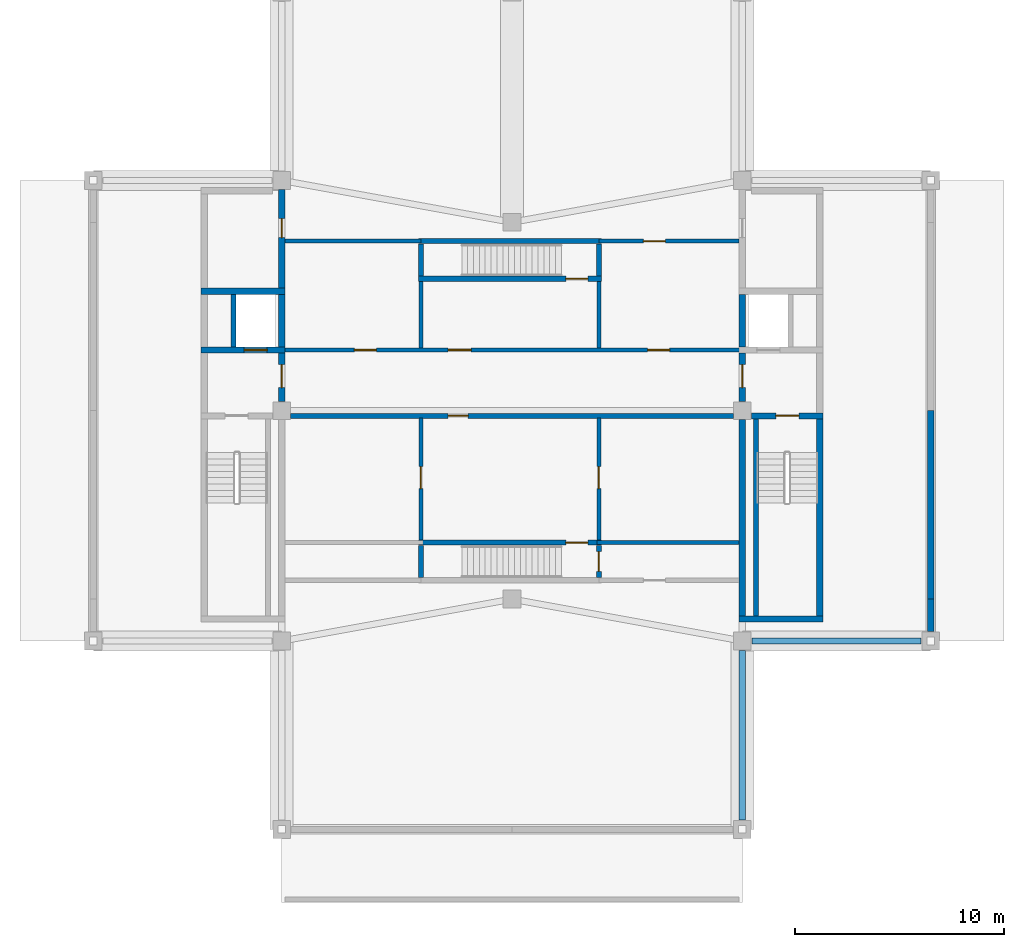
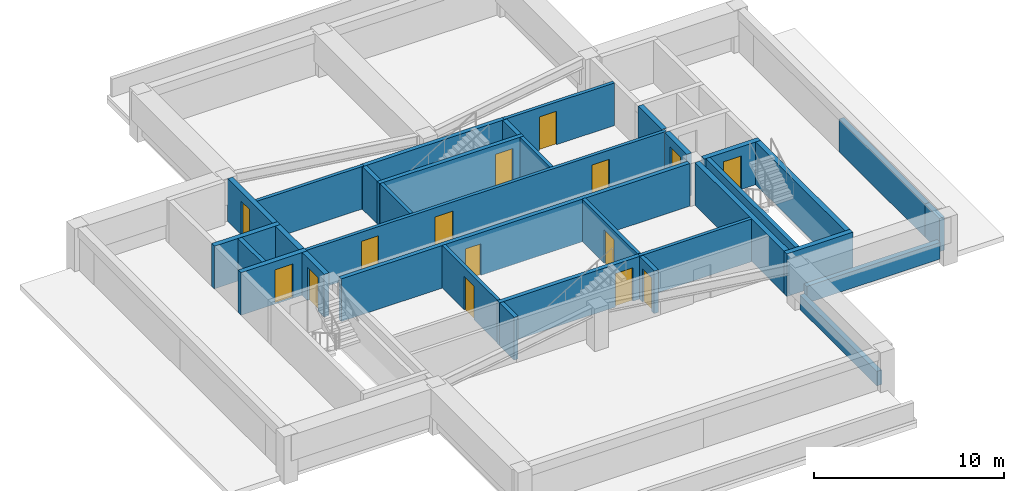
# One storey, part 2 of 4: 33 walls, 15 doors, 15 openings.
"""IFC4 building model written with IfcOpenShell, lengths in metres."""

from ifc_helpers import new_model, si_unit, direction, frame, frame_2d, origin, place, context, subcontext, project, spatial, rectangle, extrude, material, layer, layer_set, type_object, element, fill, save


model = new_model("IFC4")

# Units and contexts
model_context = context("Model", 3, precision=1e-05, world=origin(), true_north=direction((0.0, 1.0)))
body_context = subcontext(model_context, "Body", "Model", "MODEL_VIEW")
ifc_project = project(units=[si_unit("LENGTHUNIT", "METRE"), si_unit("AREAUNIT", "SQUARE_METRE"), si_unit("VOLUMEUNIT", "CUBIC_METRE"), si_unit("PLANEANGLEUNIT", "RADIAN"), si_unit("MASSUNIT", "GRAM", prefix="KILO")], contexts=[model_context])

# Site, building, storey
site_placement = place(None, origin())
site = spatial("IfcSite", under=ifc_project, at=site_placement, CompositionType="ELEMENT")
building_placement = place(site_placement, origin())
building = spatial("IfcBuilding", under=site, at=building_placement, Name="Zulmaris Gate Convention Tower", CompositionType="ELEMENT")
storey_placement = place(building_placement, frame((0.0, 0.0, 281.800048828125)))
storey = spatial("IfcBuildingStorey", under=building, at=storey_placement, Name="L75", CompositionType="ELEMENT", Elevation=281.800048828125)

# Wall, opening, door
ifc_material_1 = material(Name="Concrete C50/60", Category="concrete")
ifc_layer_1 = layer(ifc_material_1, 0.25, Name="Concrete C50/60")
ifc_layer_set_1 = layer_set([ifc_layer_1], Name="Concrete C50/60")
wall_type_1 = type_object("IfcWallType", Name="CORE-250", PredefinedType="SOLIDWALL", material=ifc_layer_set_1)
wall_1_placement = place(storey_placement, frame((-4.47509765625, -6.300048828125, 0.0), z_axis=(0.0, 0.0, 1.0), x_axis=(1.0, 0.0, 0.0)))
wall_1 = element("IfcWall", 1, at=wall_1_placement, inside=storey, type_object=wall_type_1, Name="WL-L75-004", PredefinedType="SOLIDWALL", context=body_context, shape_type="SweptSolid", body=[
    extrude(rectangle(XDim=8.75, YDim=0.25, at=frame_2d((4.375, 0.0))), origin(), (0.0, 0.0, 1.0), 2.73486328125),
])
opening_1_placement = place(wall_1_placement, frame((7.050048828125, 0.0, 0.0)))
opening_1 = element("IfcOpeningElement", 2, at=opening_1_placement, cuts=wall_1, Name="Opening D-09", PredefinedType="OPENING", context=body_context, shape_type="SweptSolid", body=[
    extrude(rectangle(XDim=1.050048828125, YDim=2.14990234375, at=frame_2d((0.52490234375, 1.074951171875))), frame((0.0, 0.135009765625, 0.0), z_axis=(0.0, -1.0, 0.0), x_axis=(1.0, 0.0, 0.0)), (0.0, 0.0, 1.0), 0.27001953125),
])
ifc_material_2 = material(Name="Fire-Rated Steel", Category="steel")
door_type_1 = type_object("IfcDoorType", Name="DR-1050-FD", OperationType="NOTDEFINED", PredefinedType="DOOR", material=ifc_material_2)
door_1_placement = place(opening_1_placement, origin())
door_1 = element("IfcDoor", 3, at=door_1_placement, inside=storey, type_object=door_type_1, Name="L75 Crown Stair ST-7 Door 09", OperationType="SINGLE_SWING_LEFT", OverallHeight=2.14990234375, OverallWidth=1.050048828125, PredefinedType="DOOR", context=body_context, shape_type="SweptSolid", body=[
    extrude(rectangle(XDim=1.050048828125, YDim=2.14990234375, at=frame_2d((0.52490234375, 1.074951171875))), frame((0.0, 0.02490234375, 0.0), z_axis=(0.0, -1.0, 0.0), x_axis=(1.0, 0.0, 0.0)), (0.0, 0.0, 1.0), 0.050048828125),
])
fill(opening_1, door_1)

wall_2_placement = place(storey_placement, frame((-4.47509765625, 6.300048828125, 0.0), z_axis=(0.0, 0.0, 1.0), x_axis=(1.0, 0.0, 0.0)))
wall_2 = element("IfcWall", 4, at=wall_2_placement, inside=storey, type_object=wall_type_1, Name="WL-L75-011", PredefinedType="SOLIDWALL", context=body_context, shape_type="SweptSolid", body=[
    extrude(rectangle(XDim=8.75, YDim=0.25, at=frame_2d((4.375, 0.0))), origin(), (0.0, 0.0, 1.0), 2.73486328125),
])
opening_2_placement = place(wall_2_placement, frame((7.050048828125, 0.0, 0.0)))
opening_2 = element("IfcOpeningElement", 5, at=opening_2_placement, cuts=wall_2, Name="Opening D-09", PredefinedType="OPENING", context=body_context, shape_type="SweptSolid", body=[
    extrude(rectangle(XDim=1.050048828125, YDim=2.14990234375, at=frame_2d((0.52490234375, 1.074951171875))), frame((0.0, 0.135009765625, 0.0), z_axis=(0.0, -1.0, 0.0), x_axis=(1.0, 0.0, 0.0)), (0.0, 0.0, 1.0), 0.27001953125),
])
door_2_placement = place(opening_2_placement, origin())
door_2 = element("IfcDoor", 6, at=door_2_placement, inside=storey, type_object=door_type_1, Name="L75 Crown Stair ST-8 Door 10", OperationType="SINGLE_SWING_RIGHT", OverallHeight=2.14990234375, OverallWidth=1.050048828125, PredefinedType="DOOR", context=body_context, shape_type="SweptSolid", body=[
    extrude(rectangle(XDim=1.050048828125, YDim=2.14990234375, at=frame_2d((0.52490234375, 1.074951171875))), frame((0.0, 0.02490234375, 0.0), z_axis=(0.0, -1.0, 0.0), x_axis=(1.0, 0.0, 0.0)), (0.0, 0.0, 1.0), 0.050048828125),
])
fill(opening_2, door_2)

# Wall
wall_3_placement = place(storey_placement, frame((-4.47509765625, 8.10009765625, 0.0), z_axis=(0.0, 0.0, 1.0), x_axis=(1.0, 0.0, 0.0)))
element("IfcWall", 7, at=wall_3_placement, inside=storey, type_object=wall_type_1, Name="WL-L75-012", PredefinedType="SOLIDWALL", context=body_context, shape_type="SweptSolid", body=[
    extrude(rectangle(XDim=8.75, YDim=0.25, at=frame_2d((4.375, 0.0))), origin(), (0.0, 0.0, 1.0), 2.73486328125),
])

# Wall, opening, door
wall_4_placement = place(storey_placement, frame((-10.569091796875, -0.25, 0.0), z_axis=(0.0, 0.0, 1.0), x_axis=(1.0, 0.0, 0.0)))
wall_4 = element("IfcWall", 8, at=wall_4_placement, inside=storey, type_object=wall_type_1, Name="WL-L75-019", PredefinedType="SOLIDWALL", context=body_context, shape_type="SweptSolid", body=[
    extrude(rectangle(XDim=21.13818359375, YDim=0.25, at=frame_2d((10.569091796875, 0.0))), origin(), (0.0, 0.0, 1.0), 2.73486328125),
])
opening_3_placement = place(wall_4_placement, frame((7.51904296875, 0.0, 0.0)))
opening_3 = element("IfcOpeningElement", 9, at=opening_3_placement, cuts=wall_4, Name="Opening D-25", PredefinedType="OPENING", context=body_context, shape_type="SweptSolid", body=[
    extrude(rectangle(XDim=0.949951171875, YDim=2.02001953125, at=frame_2d((0.47509765625, 1.010009765625))), frame((0.0, 0.135009765625, 0.0), z_axis=(0.0, -1.0, 0.0), x_axis=(1.0, 0.0, 0.0)), (0.0, 0.0, 1.0), 0.27001953125),
])
door_type_2 = type_object("IfcDoorType", Name="DR-950-LOW-FD", OperationType="NOTDEFINED", PredefinedType="DOOR", material=ifc_material_2)
door_3_placement = place(opening_3_placement, origin())
door_3 = element("IfcDoor", 10, at=door_3_placement, inside=storey, type_object=door_type_2, Name="L75 South Crown Passage Door 11", OperationType="SINGLE_SWING_LEFT", OverallHeight=2.02001953125, OverallWidth=0.949951171875, PredefinedType="DOOR", context=body_context, shape_type="SweptSolid", body=[
    extrude(rectangle(XDim=0.949951171875, YDim=2.02001953125, at=frame_2d((0.47509765625, 1.010009765625))), frame((0.0, 0.02490234375, 0.0), z_axis=(0.0, -1.0, 0.0), x_axis=(1.0, 0.0, 0.0)), (0.0, 0.0, 1.0), 0.050048828125),
])
fill(opening_3, door_3)

# Walls
wall_5_placement = place(storey_placement, frame((-13.300048828125, 3.052001953125, 0.0), z_axis=(0.0, 0.0, 1.0), x_axis=(0.0, 1.0, 0.0)))
element("IfcWall", 11, at=wall_5_placement, inside=storey, type_object=wall_type_1, Name="WL-L75-027", PredefinedType="SOLIDWALL", context=body_context, shape_type="SweptSolid", body=[
    extrude(rectangle(XDim=2.49609375, YDim=0.25, at=frame_2d((1.248046875, 0.0))), origin(), (0.0, 0.0, 1.0), 2.73486328125),
])
for number, where, z_axis, x_axis, name in (
    (12, (-4.35009765625, -7.972900390625, 0.0), (0.0, 0.0, 1.0), (0.0, 1.0, 0.0), "WL-L75-033"),
    (13, (-4.35009765625, 6.427001953125, 0.0), (0.0, 0.0, 1.0), (0.0, 1.0, 0.0), "WL-L75-034"),
):
    element("IfcWall", number, at=place(storey_placement, frame(where, z_axis=z_axis, x_axis=x_axis)), inside=storey, type_object=wall_type_1, Name=name, PredefinedType="SOLIDWALL", context=body_context, shape_type="SweptSolid", body=[
        extrude(rectangle(XDim=1.5458984375, YDim=0.25, at=frame_2d((0.77294921875, 0.0))), origin(), (0.0, 0.0, 1.0), 2.73486328125),
    ])

# Wall, opening, door
wall_6_placement = place(storey_placement, frame((4.14990234375, -7.972900390625, 0.0), z_axis=(0.0, 0.0, 1.0), x_axis=(0.0, 1.0, 0.0)))
wall_6 = element("IfcWall", 14, at=wall_6_placement, inside=storey, type_object=wall_type_1, Name="WL-L75-035", PredefinedType="SOLIDWALL", context=body_context, shape_type="SweptSolid", body=[
    extrude(rectangle(XDim=1.5458984375, YDim=0.25, at=frame_2d((0.77294921875, 0.0))), origin(), (0.0, 0.0, 1.0), 2.73486328125),
])
opening_4_placement = place(wall_6_placement, frame((0.298095703125, 0.0, 0.0)))
opening_4 = element("IfcOpeningElement", 15, at=opening_4_placement, cuts=wall_6, Name="Opening D-11", PredefinedType="OPENING", context=body_context, shape_type="SweptSolid", body=[
    extrude(rectangle(XDim=0.949951171875, YDim=2.14990234375, at=frame_2d((0.47509765625, 1.074951171875))), frame((0.0, 0.135009765625, 0.0), z_axis=(0.0, -1.0, 0.0), x_axis=(1.0, 0.0, 0.0)), (0.0, 0.0, 1.0), 0.27001953125),
])
ifc_material_3 = material(Name="Fire-Rated Timber", Category="wood")
door_type_3 = type_object("IfcDoorType", Name="DR-950-FD", OperationType="NOTDEFINED", PredefinedType="DOOR", material=ifc_material_3)
door_4_placement = place(opening_4_placement, origin())
door_4 = element("IfcDoor", 16, at=door_4_placement, inside=storey, type_object=door_type_3, Name="L75 South Vestibule Door 18", OperationType="SINGLE_SWING_RIGHT", OverallHeight=2.14990234375, OverallWidth=0.949951171875, PredefinedType="DOOR", context=body_context, shape_type="SweptSolid", body=[
    extrude(rectangle(XDim=0.949951171875, YDim=2.14990234375, at=frame_2d((0.47509765625, 1.074951171875))), frame((0.0, 0.02490234375, 0.0), z_axis=(0.0, -1.0, 0.0), x_axis=(1.0, 0.0, 0.0)), (0.0, 0.0, 1.0), 0.050048828125),
])
fill(opening_4, door_4)

# Walls
wall_7_placement = place(storey_placement, frame((4.14990234375, 6.427001953125, 0.0), z_axis=(0.0, 0.0, 1.0), x_axis=(0.0, 1.0, 0.0)))
element("IfcWall", 17, at=wall_7_placement, inside=storey, type_object=wall_type_1, Name="WL-L75-036", PredefinedType="SOLIDWALL", context=body_context, shape_type="SweptSolid", body=[
    extrude(rectangle(XDim=1.5458984375, YDim=0.25, at=frame_2d((0.77294921875, 0.0))), origin(), (0.0, 0.0, 1.0), 2.73486328125),
])
wall_8_placement = place(storey_placement, frame((11.64990234375, -9.798095703125, 0.0), z_axis=(0.0, 0.0, 1.0), x_axis=(0.0, 1.0, 0.0)))
element("IfcWall", 18, at=wall_8_placement, inside=storey, type_object=wall_type_1, Name="WL-L75-041", PredefinedType="SOLIDWALL", context=body_context, shape_type="SweptSolid", body=[
    extrude(rectangle(XDim=9.39599609375, YDim=0.25, at=frame_2d((4.697998046875, 0.0))), origin(), (0.0, 0.0, 1.0), 2.73486328125),
])
ifc_layer_2 = layer(ifc_material_1, 0.300048828125, Name="Concrete C50/60")
ifc_layer_set_2 = layer_set([ifc_layer_2], Name="Concrete C50/60")
wall_type_2 = type_object("IfcWallType", Name="CORE-300", PredefinedType="SHEAR", material=ifc_layer_set_2)
wall_9_placement = place(storey_placement, frame((10.85009765625, -9.949951171875, 0.0), z_axis=(0.0, 0.0, 1.0), x_axis=(1.0, 0.0, 0.0)))
element("IfcWall", 19, at=wall_9_placement, inside=storey, type_object=wall_type_2, Name="WL-L75-002", PredefinedType="SHEAR", context=body_context, shape_type="SweptSolid", body=[
    extrude(rectangle(XDim=4.0, YDim=0.300048828125, at=frame_2d((2.0, 0.0))), origin(), (0.0, 0.0, 1.0), 2.73486328125),
])

# Wall, opening, door
wall_10_placement = place(storey_placement, frame((11.428955078125, -0.25, 0.0), z_axis=(0.0, 0.0, 1.0), x_axis=(1.0, 0.0, 0.0)))
wall_10 = element("IfcWall", 20, at=wall_10_placement, inside=storey, type_object=wall_type_2, Name="WL-L75-006", PredefinedType="SHEAR", context=body_context, shape_type="SweptSolid", body=[
    extrude(rectangle(XDim=3.421142578125, YDim=0.300048828125, at=frame_2d((1.71044921875, 0.0))), origin(), (0.0, 0.0, 1.0), 2.73486328125),
])
opening_5_placement = place(wall_10_placement, frame((1.1708984375, 0.0, 0.0)))
opening_5 = element("IfcOpeningElement", 21, at=opening_5_placement, cuts=wall_10, Name="Opening D-08", PredefinedType="OPENING", context=body_context, shape_type="SweptSolid", body=[
    extrude(rectangle(XDim=1.10009765625, YDim=2.14990234375, at=frame_2d((0.550048828125, 1.074951171875))), frame((0.0, 0.16015625, 0.0), z_axis=(0.0, -1.0, 0.0), x_axis=(1.0, 0.0, 0.0)), (0.0, 0.0, 1.0), 0.320068359375),
])
door_type_4 = type_object("IfcDoorType", Name="DR-1100-FD", OperationType="NOTDEFINED", PredefinedType="DOOR", material=ifc_material_2)
door_5_placement = place(opening_5_placement, origin())
door_5 = element("IfcDoor", 22, at=door_5_placement, inside=storey, type_object=door_type_4, Name="L75 Exit Stair ST-2 Door 04", OperationType="SINGLE_SWING_LEFT", OverallHeight=2.14990234375, OverallWidth=1.10009765625, PredefinedType="DOOR", context=body_context, shape_type="SweptSolid", body=[
    extrude(rectangle(XDim=1.10009765625, YDim=2.14990234375, at=frame_2d((0.550048828125, 1.074951171875))), frame((0.0, 0.02490234375, 0.0), z_axis=(0.0, -1.0, 0.0), x_axis=(1.0, 0.0, 0.0)), (0.0, 0.0, 1.0), 0.050048828125),
])
fill(opening_5, door_5)

wall_11_placement = place(storey_placement, frame((-14.85009765625, 2.89990234375, 0.0), z_axis=(0.0, 0.0, 1.0), x_axis=(1.0, 0.0, 0.0)))
wall_11 = element("IfcWall", 23, at=wall_11_placement, inside=storey, type_object=wall_type_2, Name="WL-L75-007", PredefinedType="SHEAR", context=body_context, shape_type="SweptSolid", body=[
    extrude(rectangle(XDim=4.0, YDim=0.300048828125, at=frame_2d((2.0, 0.0))), origin(), (0.0, 0.0, 1.0), 2.73486328125),
])
opening_6_placement = place(wall_11_placement, frame((2.050048828125, 0.0, 0.0)))
opening_6 = element("IfcOpeningElement", 24, at=opening_6_placement, cuts=wall_11, Name="Opening D-06", PredefinedType="OPENING", context=body_context, shape_type="SweptSolid", body=[
    extrude(rectangle(XDim=1.10009765625, YDim=2.199951171875, at=frame_2d((0.550048828125, 1.10009765625))), frame((0.0, 0.16015625, 0.0), z_axis=(0.0, -1.0, 0.0), x_axis=(1.0, 0.0, 0.0)), (0.0, 0.0, 1.0), 0.320068359375),
])
ifc_material_4 = material(Name="Brushed Stainless Steel", Category="steel")
door_type_5 = type_object("IfcDoorType", Name="LD-1100", OperationType="NOTDEFINED", PredefinedType="DOOR", material=ifc_material_4)
door_6_placement = place(opening_6_placement, origin())
door_6 = element("IfcDoor", 25, at=door_6_placement, inside=storey, type_object=door_type_5, Name="L75 Lift Landing Door LF-01 03", OperationType="SLIDING_TO_LEFT", OverallHeight=2.199951171875, OverallWidth=1.10009765625, PredefinedType="DOOR", context=body_context, shape_type="SweptSolid", body=[
    extrude(rectangle(XDim=1.10009765625, YDim=2.199951171875, at=frame_2d((0.550048828125, 1.10009765625))), frame((0.0, 0.02490234375, 0.0), z_axis=(0.0, -1.0, 0.0), x_axis=(1.0, 0.0, 0.0)), (0.0, 0.0, 1.0), 0.050048828125),
])
fill(opening_6, door_6)

# Wall
wall_12_placement = place(storey_placement, frame((-14.85009765625, 5.699951171875, 0.0), z_axis=(0.0, 0.0, 1.0), x_axis=(1.0, 0.0, 0.0)))
element("IfcWall", 26, at=wall_12_placement, inside=storey, type_object=wall_type_2, Name="WL-L75-009", PredefinedType="SHEAR", context=body_context, shape_type="SweptSolid", body=[
    extrude(rectangle(XDim=4.0, YDim=0.300048828125, at=frame_2d((2.0, 0.0))), origin(), (0.0, 0.0, 1.0), 2.73486328125),
])

# Wall, opening, door
wall_13_placement = place(storey_placement, frame((-11.0, 0.428955078125, 0.0), z_axis=(0.0, 0.0, 1.0), x_axis=(0.0, 1.0, 0.0)))
wall_13 = element("IfcWall", 27, at=wall_13_placement, inside=storey, type_object=wall_type_2, Name="WL-L75-030", PredefinedType="SHEAR", context=body_context, shape_type="SweptSolid", body=[
    extrude(rectangle(XDim=2.319091796875, YDim=0.300048828125, at=frame_2d((1.15966796875, 0.0))), origin(), (0.0, 0.0, 1.0), 2.73486328125),
])
opening_7_placement = place(wall_13_placement, frame((0.6708984375, 0.0, 0.0)))
opening_7 = element("IfcOpeningElement", 28, at=opening_7_placement, cuts=wall_13, Name="Opening D-08", PredefinedType="OPENING", context=body_context, shape_type="SweptSolid", body=[
    extrude(rectangle(XDim=1.10009765625, YDim=2.14990234375, at=frame_2d((0.550048828125, 1.074951171875))), frame((0.0, 0.16015625, 0.0), z_axis=(0.0, -1.0, 0.0), x_axis=(1.0, 0.0, 0.0)), (0.0, 0.0, 1.0), 0.320068359375),
])
door_7_placement = place(opening_7_placement, origin())
door_7 = element("IfcDoor", 29, at=door_7_placement, inside=storey, type_object=door_type_4, Name="L75 West Firefighting Lobby Door 02", OperationType="SINGLE_SWING_RIGHT", OverallHeight=2.14990234375, OverallWidth=1.10009765625, PredefinedType="DOOR", context=body_context, shape_type="SweptSolid", body=[
    extrude(rectangle(XDim=1.10009765625, YDim=2.14990234375, at=frame_2d((0.550048828125, 1.074951171875))), frame((0.0, 0.02490234375, 0.0), z_axis=(0.0, -1.0, 0.0), x_axis=(1.0, 0.0, 0.0)), (0.0, 0.0, 1.0), 0.050048828125),
])
fill(opening_7, door_7)

# Wall
wall_14_placement = place(storey_placement, frame((-11.0, 3.052001953125, 0.0), z_axis=(0.0, 0.0, 1.0), x_axis=(0.0, 1.0, 0.0)))
element("IfcWall", 30, at=wall_14_placement, inside=storey, type_object=wall_type_2, Name="WL-L75-031", PredefinedType="SHEAR", context=body_context, shape_type="SweptSolid", body=[
    extrude(rectangle(XDim=2.49609375, YDim=0.300048828125, at=frame_2d((1.248046875, 0.0))), origin(), (0.0, 0.0, 1.0), 2.73486328125),
])

# Wall, opening, door
wall_15_placement = place(storey_placement, frame((-11.0, 5.85205078125, 0.0), z_axis=(0.0, 0.0, 1.0), x_axis=(0.0, 1.0, 0.0)))
wall_15 = element("IfcWall", 31, at=wall_15_placement, inside=storey, type_object=wall_type_2, Name="WL-L75-032", PredefinedType="SHEAR", context=body_context, shape_type="SweptSolid", body=[
    extrude(rectangle(XDim=4.718994140625, YDim=0.300048828125, at=frame_2d((2.359375, 0.0))), origin(), (0.0, 0.0, 1.0), 2.73486328125),
])
opening_8_placement = place(wall_15_placement, frame((2.41796875, 0.0, 0.0)))
opening_8 = element("IfcOpeningElement", 32, at=opening_8_placement, cuts=wall_15, Name="Opening D-12", PredefinedType="OPENING", context=body_context, shape_type="SweptSolid", body=[
    extrude(rectangle(XDim=0.89990234375, YDim=2.14990234375, at=frame_2d((0.449951171875, 1.074951171875))), frame((0.0, 0.16015625, 0.0), z_axis=(0.0, -1.0, 0.0), x_axis=(1.0, 0.0, 0.0)), (0.0, 0.0, 1.0), 0.320068359375),
])
door_type_6 = type_object("IfcDoorType", Name="DR-900-FD", OperationType="NOTDEFINED", PredefinedType="DOOR", material=ifc_material_3)
door_8_placement = place(opening_8_placement, origin())
door_8 = element("IfcDoor", 33, at=door_8_placement, inside=storey, type_object=door_type_6, Name="L75 Crown Electrical Door 07", OperationType="SINGLE_SWING_LEFT", OverallHeight=2.14990234375, OverallWidth=0.89990234375, PredefinedType="DOOR", context=body_context, shape_type="SweptSolid", body=[
    extrude(rectangle(XDim=0.89990234375, YDim=2.14990234375, at=frame_2d((0.449951171875, 1.074951171875))), frame((0.0, 0.02490234375, 0.0), z_axis=(0.0, -1.0, 0.0), x_axis=(1.0, 0.0, 0.0)), (0.0, 0.0, 1.0), 0.050048828125),
])
fill(opening_8, door_8)

# Wall
wall_16_placement = place(storey_placement, frame((11.0, -9.798095703125, 0.0), z_axis=(0.0, 0.0, 1.0), x_axis=(0.0, 1.0, 0.0)))
element("IfcWall", 34, at=wall_16_placement, inside=storey, type_object=wall_type_2, Name="WL-L75-037", PredefinedType="SHEAR", context=body_context, shape_type="SweptSolid", body=[
    extrude(rectangle(XDim=9.369140625, YDim=0.300048828125, at=frame_2d((4.6845703125, 0.0))), origin(), (0.0, 0.0, 1.0), 2.73486328125),
])

# Wall, opening, door
wall_17_placement = place(storey_placement, frame((11.0, 0.428955078125, 0.0), z_axis=(0.0, 0.0, 1.0), x_axis=(0.0, 1.0, 0.0)))
wall_17 = element("IfcWall", 35, at=wall_17_placement, inside=storey, type_object=wall_type_2, Name="WL-L75-038", PredefinedType="SHEAR", context=body_context, shape_type="SweptSolid", body=[
    extrude(rectangle(XDim=2.319091796875, YDim=0.300048828125, at=frame_2d((1.15966796875, 0.0))), origin(), (0.0, 0.0, 1.0), 2.73486328125),
])
opening_9_placement = place(wall_17_placement, frame((0.6708984375, 0.0, 0.0)))
opening_9 = element("IfcOpeningElement", 36, at=opening_9_placement, cuts=wall_17, Name="Opening D-08", PredefinedType="OPENING", context=body_context, shape_type="SweptSolid", body=[
    extrude(rectangle(XDim=1.10009765625, YDim=2.14990234375, at=frame_2d((0.550048828125, 1.074951171875))), frame((0.0, 0.16015625, 0.0), z_axis=(0.0, -1.0, 0.0), x_axis=(1.0, 0.0, 0.0)), (0.0, 0.0, 1.0), 0.320068359375),
])
door_9_placement = place(opening_9_placement, origin())
door_9 = element("IfcDoor", 37, at=door_9_placement, inside=storey, type_object=door_type_4, Name="L75 East Firefighting Lobby Door 05", OperationType="SINGLE_SWING_RIGHT", OverallHeight=2.14990234375, OverallWidth=1.10009765625, PredefinedType="DOOR", context=body_context, shape_type="SweptSolid", body=[
    extrude(rectangle(XDim=1.10009765625, YDim=2.14990234375, at=frame_2d((0.550048828125, 1.074951171875))), frame((0.0, 0.02490234375, 0.0), z_axis=(0.0, -1.0, 0.0), x_axis=(1.0, 0.0, 0.0)), (0.0, 0.0, 1.0), 0.050048828125),
])
fill(opening_9, door_9)

# Walls
wall_18_placement = place(storey_placement, frame((11.0, 3.052001953125, 0.0), z_axis=(0.0, 0.0, 1.0), x_axis=(0.0, 1.0, 0.0)))
element("IfcWall", 38, at=wall_18_placement, inside=storey, type_object=wall_type_2, Name="WL-L75-039", PredefinedType="SHEAR", context=body_context, shape_type="SweptSolid", body=[
    extrude(rectangle(XDim=2.49609375, YDim=0.300048828125, at=frame_2d((1.248046875, 0.0))), origin(), (0.0, 0.0, 1.0), 2.73486328125),
])
wall_19_placement = place(storey_placement, frame((14.699951171875, -9.798095703125, 0.0), z_axis=(0.0, 0.0, 1.0), x_axis=(0.0, 1.0, 0.0)))
element("IfcWall", 39, at=wall_19_placement, inside=storey, type_object=wall_type_2, Name="WL-L75-043", PredefinedType="SHEAR", context=body_context, shape_type="SweptSolid", body=[
    extrude(rectangle(XDim=9.39599609375, YDim=0.300048828125, at=frame_2d((4.697998046875, 0.0))), origin(), (0.0, 0.0, 1.0), 2.73486328125),
])
ifc_material_5 = material(Name="Autoclaved Aerated Concrete Block and Plasterboard", Category="concrete")
ifc_layer_3 = layer(ifc_material_5, 0.199951171875, Name="Autoclaved Aerated Concrete Block and Plasterboard")
ifc_layer_set_3 = layer_set([ifc_layer_3], Name="Autoclaved Aerated Concrete Block and Plasterboard")
wall_type_3 = type_object("IfcWallType", Name="PART-200", PredefinedType="PARTITIONING", material=ifc_layer_set_3)
wall_20_placement = place(storey_placement, frame((4.050048828125, -6.300048828125, 0.0), z_axis=(0.0, 0.0, 1.0), x_axis=(1.0, 0.0, 0.0)))
element("IfcWall", 40, at=wall_20_placement, inside=storey, type_object=wall_type_3, Name="WL-L75-018", PredefinedType="PARTITIONING", context=body_context, shape_type="SweptSolid", body=[
    extrude(rectangle(XDim=6.796875, YDim=0.199951171875, at=frame_2d((3.3984375, 0.0))), origin(), (0.0, 0.0, 1.0), 2.73486328125),
])

# Wall, openings, doors
wall_21_placement = place(storey_placement, frame((-11.0, 2.89990234375, 0.0), z_axis=(0.0, 0.0, 1.0), x_axis=(1.0, 0.0, 0.0)))
wall_21 = element("IfcWall", 41, at=wall_21_placement, inside=storey, type_object=wall_type_3, Name="WL-L75-020", PredefinedType="PARTITIONING", context=body_context, shape_type="SweptSolid", body=[
    extrude(rectangle(XDim=22.0, YDim=0.199951171875, at=frame_2d((11.0, 0.0))), origin(), (0.0, 0.0, 1.0), 2.73486328125),
])
opening_10_placement = place(wall_21_placement, frame((7.949951171875, 0.0, 0.0)))
opening_10 = element("IfcOpeningElement", 42, at=opening_10_placement, cuts=wall_21, Name="Opening D-08", PredefinedType="OPENING", context=body_context, shape_type="SweptSolid", body=[
    extrude(rectangle(XDim=1.10009765625, YDim=2.14990234375, at=frame_2d((0.550048828125, 1.074951171875))), frame((0.0, 0.10986328125, 0.0), z_axis=(0.0, -1.0, 0.0), x_axis=(1.0, 0.0, 0.0)), (0.0, 0.0, 1.0), 0.219970703125),
])
opening_11_placement = place(wall_21_placement, frame((17.47509765625, 0.0, 0.0)))
opening_11 = element("IfcOpeningElement", 43, at=opening_11_placement, cuts=wall_21, Name="Opening D-09", PredefinedType="OPENING", context=body_context, shape_type="SweptSolid", body=[
    extrude(rectangle(XDim=1.050048828125, YDim=2.14990234375, at=frame_2d((0.52490234375, 1.074951171875))), frame((0.0, 0.10986328125, 0.0), z_axis=(0.0, -1.0, 0.0), x_axis=(1.0, 0.0, 0.0)), (0.0, 0.0, 1.0), 0.219970703125),
])
opening_12_placement = place(wall_21_placement, frame((3.47509765625, 0.0, 0.0)))
opening_12 = element("IfcOpeningElement", 44, at=opening_12_placement, cuts=wall_21, Name="Opening D-09", PredefinedType="OPENING", context=body_context, shape_type="SweptSolid", body=[
    extrude(rectangle(XDim=1.050048828125, YDim=2.14990234375, at=frame_2d((0.52490234375, 1.074951171875))), frame((0.0, 0.10986328125, 0.0), z_axis=(0.0, -1.0, 0.0), x_axis=(1.0, 0.0, 0.0)), (0.0, 0.0, 1.0), 0.219970703125),
])
door_10_placement = place(opening_11_placement, origin())
door_10 = element("IfcDoor", 45, at=door_10_placement, inside=storey, type_object=door_type_1, Name="L75 East Crown Plant Door 15", OperationType="SINGLE_SWING_LEFT", OverallHeight=2.14990234375, OverallWidth=1.050048828125, PredefinedType="DOOR", context=body_context, shape_type="SweptSolid", body=[
    extrude(rectangle(XDim=1.050048828125, YDim=2.14990234375, at=frame_2d((0.52490234375, 1.074951171875))), frame((0.0, 0.02490234375, 0.0), z_axis=(0.0, -1.0, 0.0), x_axis=(1.0, 0.0, 0.0)), (0.0, 0.0, 1.0), 0.050048828125),
])
fill(opening_11, door_10)
door_11_placement = place(opening_12_placement, origin())
door_11 = element("IfcDoor", 46, at=door_11_placement, inside=storey, type_object=door_type_1, Name="L75 BMS Telemetry Door 17", OperationType="SINGLE_SWING_LEFT", OverallHeight=2.14990234375, OverallWidth=1.050048828125, PredefinedType="DOOR", context=body_context, shape_type="SweptSolid", body=[
    extrude(rectangle(XDim=1.050048828125, YDim=2.14990234375, at=frame_2d((0.52490234375, 1.074951171875))), frame((0.0, 0.02490234375, 0.0), z_axis=(0.0, -1.0, 0.0), x_axis=(1.0, 0.0, 0.0)), (0.0, 0.0, 1.0), 0.050048828125),
])
fill(opening_12, door_11)
door_12_placement = place(opening_10_placement, origin())
door_12 = element("IfcDoor", 47, at=door_12_placement, inside=storey, type_object=door_type_4, Name="L75 North Crown Passage Door 12", OperationType="SINGLE_SWING_RIGHT", OverallHeight=2.14990234375, OverallWidth=1.10009765625, PredefinedType="DOOR", context=body_context, shape_type="SweptSolid", body=[
    extrude(rectangle(XDim=1.10009765625, YDim=2.14990234375, at=frame_2d((0.550048828125, 1.074951171875))), frame((0.0, 0.02490234375, 0.0), z_axis=(0.0, -1.0, 0.0), x_axis=(1.0, 0.0, 0.0)), (0.0, 0.0, 1.0), 0.050048828125),
])
fill(opening_10, door_12)

# Wall
wall_22_placement = place(storey_placement, frame((-10.846923828125, 8.10009765625, 0.0), z_axis=(0.0, 0.0, 1.0), x_axis=(1.0, 0.0, 0.0)))
element("IfcWall", 48, at=wall_22_placement, inside=storey, type_object=wall_type_3, Name="WL-L75-021", PredefinedType="PARTITIONING", context=body_context, shape_type="SweptSolid", body=[
    extrude(rectangle(XDim=6.496826171875, YDim=0.199951171875, at=frame_2d((3.24853515625, 0.0))), origin(), (0.0, 0.0, 1.0), 2.73486328125),
])

# Wall, opening, door
wall_23_placement = place(storey_placement, frame((4.14990234375, 8.10009765625, 0.0), z_axis=(0.0, 0.0, 1.0), x_axis=(1.0, 0.0, 0.0)))
wall_23 = element("IfcWall", 49, at=wall_23_placement, inside=storey, type_object=wall_type_3, Name="WL-L75-022", PredefinedType="PARTITIONING", context=body_context, shape_type="SweptSolid", body=[
    extrude(rectangle(XDim=6.697021484375, YDim=0.199951171875, at=frame_2d((3.3486328125, 0.0))), origin(), (0.0, 0.0, 1.0), 2.73486328125),
])
opening_13_placement = place(wall_23_placement, frame((2.125, 0.0, 0.0)))
opening_13 = element("IfcOpeningElement", 50, at=opening_13_placement, cuts=wall_23, Name="Opening D-09", PredefinedType="OPENING", context=body_context, shape_type="SweptSolid", body=[
    extrude(rectangle(XDim=1.050048828125, YDim=2.14990234375, at=frame_2d((0.52490234375, 1.074951171875))), frame((0.0, 0.10986328125, 0.0), z_axis=(0.0, -1.0, 0.0), x_axis=(1.0, 0.0, 0.0)), (0.0, 0.0, 1.0), 0.219970703125),
])
door_13_placement = place(opening_13_placement, origin())
door_13 = element("IfcDoor", 51, at=door_13_placement, inside=storey, type_object=door_type_1, Name="L75 Water Tank Room Door 16", OperationType="SINGLE_SWING_RIGHT", OverallHeight=2.14990234375, OverallWidth=1.050048828125, PredefinedType="DOOR", context=body_context, shape_type="SweptSolid", body=[
    extrude(rectangle(XDim=1.050048828125, YDim=2.14990234375, at=frame_2d((0.52490234375, 1.074951171875))), frame((0.0, 0.02490234375, 0.0), z_axis=(0.0, -1.0, 0.0), x_axis=(1.0, 0.0, 0.0)), (0.0, 0.0, 1.0), 0.050048828125),
])
fill(opening_13, door_13)

wall_24_placement = place(storey_placement, frame((-4.35009765625, -6.172119140625, 0.0), z_axis=(0.0, 0.0, 1.0), x_axis=(0.0, 1.0, 0.0)))
wall_24 = element("IfcWall", 52, at=wall_24_placement, inside=storey, type_object=wall_type_3, Name="WL-L75-047", PredefinedType="PARTITIONING", context=body_context, shape_type="SweptSolid", body=[
    extrude(rectangle(XDim=5.819091796875, YDim=0.199951171875, at=frame_2d((2.90966796875, 0.0))), origin(), (0.0, 0.0, 1.0), 2.73486328125),
])
opening_14_placement = place(wall_24_placement, frame((2.447021484375, 0.0, 0.0)))
opening_14 = element("IfcOpeningElement", 53, at=opening_14_placement, cuts=wall_24, Name="Opening D-09", PredefinedType="OPENING", context=body_context, shape_type="SweptSolid", body=[
    extrude(rectangle(XDim=1.050048828125, YDim=2.14990234375, at=frame_2d((0.52490234375, 1.074951171875))), frame((0.0, 0.10986328125, 0.0), z_axis=(0.0, -1.0, 0.0), x_axis=(1.0, 0.0, 0.0)), (0.0, 0.0, 1.0), 0.219970703125),
])
door_14_placement = place(opening_14_placement, origin())
door_14 = element("IfcDoor", 54, at=door_14_placement, inside=storey, type_object=door_type_1, Name="L75 Chiller Plant Door 13", OperationType="SINGLE_SWING_LEFT", OverallHeight=2.14990234375, OverallWidth=1.050048828125, PredefinedType="DOOR", context=body_context, shape_type="SweptSolid", body=[
    extrude(rectangle(XDim=1.050048828125, YDim=2.14990234375, at=frame_2d((0.52490234375, 1.074951171875))), frame((0.0, 0.02490234375, 0.0), z_axis=(0.0, -1.0, 0.0), x_axis=(1.0, 0.0, 0.0)), (0.0, 0.0, 1.0), 0.050048828125),
])
fill(opening_14, door_14)

# Wall
wall_25_placement = place(storey_placement, frame((-4.35009765625, 3.0029296875, 0.0), z_axis=(0.0, 0.0, 1.0), x_axis=(0.0, 1.0, 0.0)))
element("IfcWall", 55, at=wall_25_placement, inside=storey, type_object=wall_type_3, Name="WL-L75-048", PredefinedType="PARTITIONING", context=body_context, shape_type="SweptSolid", body=[
    extrude(rectangle(XDim=3.169189453125, YDim=0.199951171875, at=frame_2d((1.58447265625, 0.0))), origin(), (0.0, 0.0, 1.0), 2.73486328125),
])

# Wall, opening, door
wall_26_placement = place(storey_placement, frame((4.14990234375, -6.172119140625, 0.0), z_axis=(0.0, 0.0, 1.0), x_axis=(0.0, 1.0, 0.0)))
wall_26 = element("IfcWall", 56, at=wall_26_placement, inside=storey, type_object=wall_type_3, Name="WL-L75-049", PredefinedType="PARTITIONING", context=body_context, shape_type="SweptSolid", body=[
    extrude(rectangle(XDim=5.819091796875, YDim=0.199951171875, at=frame_2d((2.90966796875, 0.0))), origin(), (0.0, 0.0, 1.0), 2.73486328125),
])
opening_15_placement = place(wall_26_placement, frame((2.447021484375, 0.0, 0.0)))
opening_15 = element("IfcOpeningElement", 57, at=opening_15_placement, cuts=wall_26, Name="Opening D-09", PredefinedType="OPENING", context=body_context, shape_type="SweptSolid", body=[
    extrude(rectangle(XDim=1.050048828125, YDim=2.14990234375, at=frame_2d((0.52490234375, 1.074951171875))), frame((0.0, 0.10986328125, 0.0), z_axis=(0.0, -1.0, 0.0), x_axis=(1.0, 0.0, 0.0)), (0.0, 0.0, 1.0), 0.219970703125),
])
door_15_placement = place(opening_15_placement, origin())
door_15 = element("IfcDoor", 58, at=door_15_placement, inside=storey, type_object=door_type_1, Name="L75 Crown AHU Door 14", OperationType="SINGLE_SWING_RIGHT", OverallHeight=2.14990234375, OverallWidth=1.050048828125, PredefinedType="DOOR", context=body_context, shape_type="SweptSolid", body=[
    extrude(rectangle(XDim=1.050048828125, YDim=2.14990234375, at=frame_2d((0.52490234375, 1.074951171875))), frame((0.0, 0.02490234375, 0.0), z_axis=(0.0, -1.0, 0.0), x_axis=(1.0, 0.0, 0.0)), (0.0, 0.0, 1.0), 0.050048828125),
])
fill(opening_15, door_15)

# Walls
wall_27_placement = place(storey_placement, frame((4.14990234375, 3.0029296875, 0.0), z_axis=(0.0, 0.0, 1.0), x_axis=(0.0, 1.0, 0.0)))
element("IfcWall", 59, at=wall_27_placement, inside=storey, type_object=wall_type_3, Name="WL-L75-050", PredefinedType="PARTITIONING", context=body_context, shape_type="SweptSolid", body=[
    extrude(rectangle(XDim=3.169189453125, YDim=0.199951171875, at=frame_2d((1.58447265625, 0.0))), origin(), (0.0, 0.0, 1.0), 2.73486328125),
])
ifc_material_6 = material(Name="Precast concrete C40/50", Category="concrete")
ifc_layer_4 = layer(ifc_material_6, 0.300048828125, Name="Precast concrete C40/50")
ifc_layer_set_4 = layer_set([ifc_layer_4], Name="Precast concrete C40/50")
wall_type_4 = type_object("IfcWallType", Name="PRECAST-CROWN-300", PredefinedType="STANDARD", material=ifc_layer_set_4)
wall_28_placement = place(storey_placement, frame((20.0, -10.544921875, 0.0), z_axis=(0.0, 0.0, 1.0), x_axis=(0.0, 1.0, 0.0)))
element("IfcWall", 60, at=wall_28_placement, inside=storey, type_object=wall_type_4, Name="EW-L75-CR-E0_0", PredefinedType="STANDARD", context=body_context, shape_type="SweptSolid", body=[
    extrude(rectangle(XDim=1.544921875, YDim=0.300048828125, at=frame_2d((0.7724609375, 0.0))), origin(), (0.0, 0.0, 1.0), 2.126953125),
])
wall_29_placement = place(storey_placement, frame((20.0, -9.0, 0.0), z_axis=(0.0, 0.0, 1.0), x_axis=(0.0, 1.0, 0.0)))
element("IfcWall", 61, at=wall_29_placement, inside=storey, type_object=wall_type_4, Name="EW-L75-CR-E1_0", PredefinedType="STANDARD", context=body_context, shape_type="SweptSolid", body=[
    extrude(rectangle(XDim=9.0, YDim=0.300048828125, at=frame_2d((4.5, 0.0))), origin(), (0.0, 0.0, 1.0), 2.126953125),
])
wall_30_placement = place(storey_placement, frame((11.0, -19.544921875, 0.0), z_axis=(0.0, 0.0, 1.0), x_axis=(0.0, 1.0, 0.0)))
element("IfcWall", 62, at=wall_30_placement, inside=storey, type_object=wall_type_4, Name="EW-L75-CR-SE1_0", PredefinedType="STANDARD", context=body_context, shape_type="SweptSolid", body=[
    extrude(rectangle(XDim=8.08984375, YDim=0.300048828125, at=frame_2d((4.044921875, 0.0))), origin(), (0.0, 0.0, 1.0), 0.9267578125),
])
wall_31_placement = place(storey_placement, frame((11.455078125, -11.0, 0.0), z_axis=(0.0, 0.0, 1.0), x_axis=(1.0, 0.0, 0.0)))
element("IfcWall", 63, at=wall_31_placement, inside=storey, type_object=wall_type_4, Name="EW-L75-CR-SE2_0", PredefinedType="STANDARD", context=body_context, shape_type="SweptSolid", body=[
    extrude(rectangle(XDim=8.08984375, YDim=0.300048828125, at=frame_2d((4.044921875, 0.0))), origin(), (0.0, 0.0, 1.0), 1.076904296875),
])

save(model, "model.ifc")
